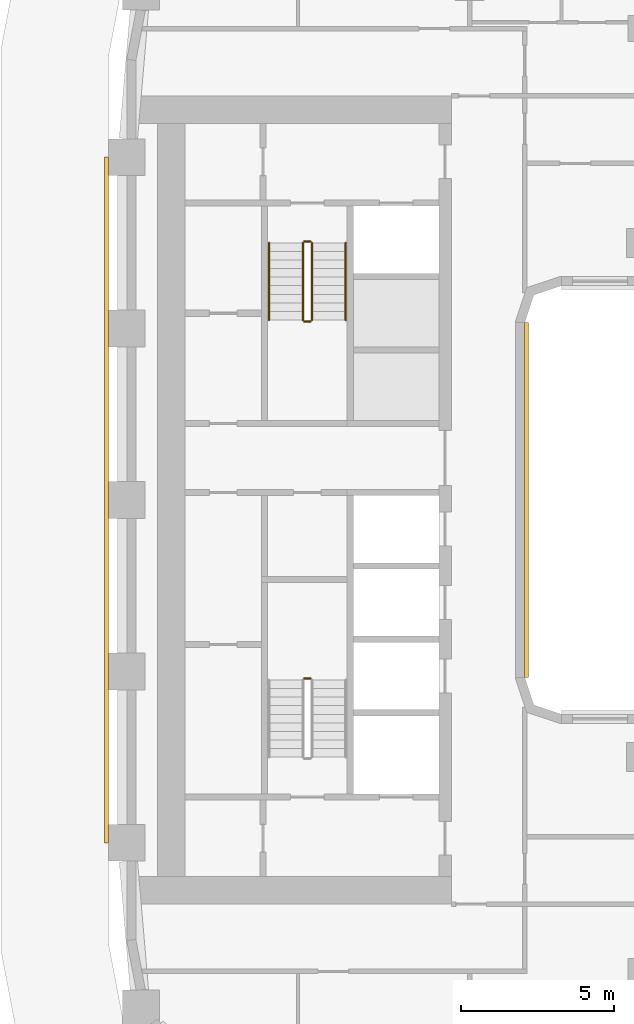
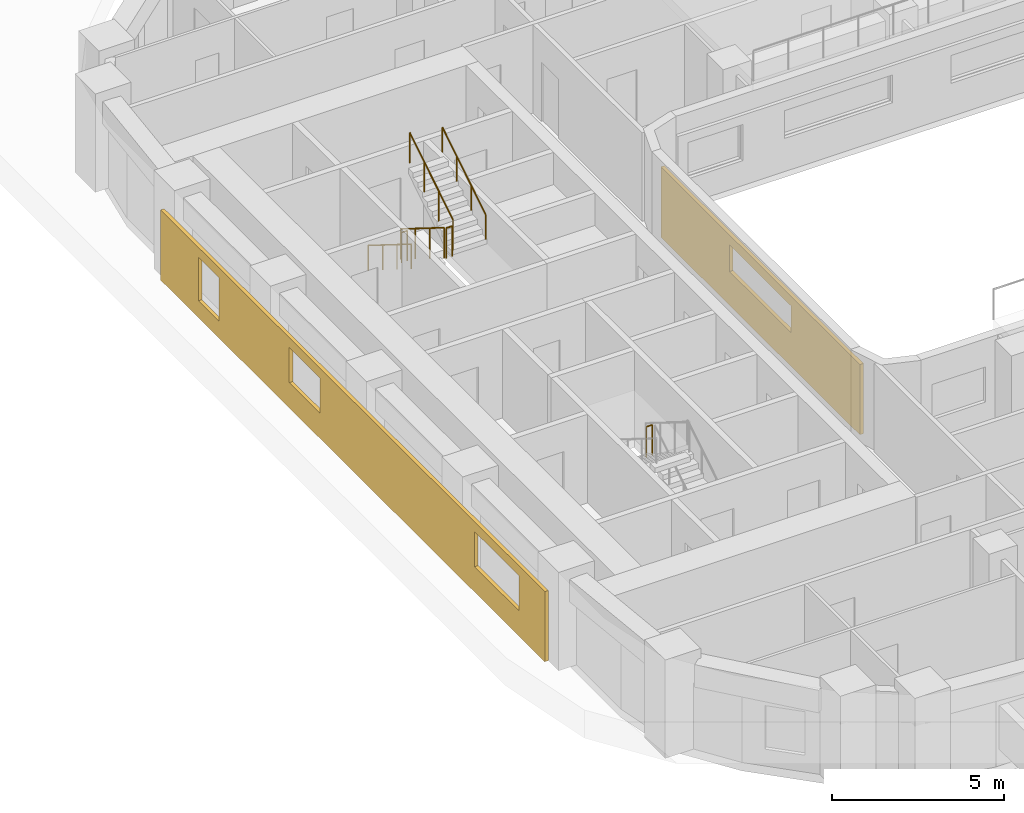
# One storey, part 14 of 18: 7 railings, 2 coverings.
"""IFC4 building model written with IfcOpenShell, lengths in metres."""

from ifc_helpers import new_model, si_unit, direction, frame, origin, origin_2d, place, context, subcontext, project, spatial, polyline, circle, outline, extrude, material, layer, layer_set, type_object, element, save


model = new_model("IFC4")

# Units and contexts
model_context = context("Model", 3, precision=1e-05, world=origin(), true_north=direction((0.0, 1.0)))
body_context = subcontext(model_context, "Body", "Model", "MODEL_VIEW")
ifc_project = project(units=[si_unit("LENGTHUNIT", "METRE"), si_unit("AREAUNIT", "SQUARE_METRE"), si_unit("VOLUMEUNIT", "CUBIC_METRE"), si_unit("PLANEANGLEUNIT", "RADIAN"), si_unit("MASSUNIT", "GRAM", prefix="KILO")], contexts=[model_context])

# Site, building, storey
site_placement = place(None, origin())
site = spatial("IfcSite", under=ifc_project, at=site_placement, CompositionType="ELEMENT")
building_placement = place(site_placement, origin())
building = spatial("IfcBuilding", under=site, at=building_placement, Name="Kiln Ring Residences", CompositionType="ELEMENT")
storey_placement = place(building_placement, frame((0.0, 0.0, 121.800048828125)))
storey = spatial("IfcBuildingStorey", under=building, at=storey_placement, Name="L31", CompositionType="ELEMENT", Elevation=121.800048828125)

# Railings
ifc_material_1 = material(Name="Stainless steel", Category="steel")
railing_type_1 = type_object("IfcRailingType", Name="CORE-STAIR-GUARD", PredefinedType="GUARDRAIL", material=ifc_material_1)
railing_1_placement = place(storey_placement, frame((-22.25, 8.39990234375, 0.175048828125)))
element("IfcRailing", 1, at=railing_1_placement, inside=storey, type_object=railing_type_1, Name="L31 W-STN stair guard 1", PredefinedType="GUARDRAIL", context=body_context, shape_type="SweptSolid", body=[
    extrude(circle(Radius=0.02392578125, at=origin_2d()), frame((0.0, 0.0, 1.076171875), z_axis=(0.0, -0.848007534815, 0.529984170421), x_axis=(1.0, 0.0, 0.0)), (0.0, 0.0, 1.0), 2.9716796875),
    extrude(circle(Radius=0.02099609375, at=origin_2d()), origin(), (0.0, 0.0, 1.0), 1.052001953125),
    extrude(circle(Radius=0.02099609375, at=origin_2d()), frame((0.0, -0.840087890625, 0.52490234375)), (0.0, 0.0, 1.0), 1.052001953125),
    extrude(circle(Radius=0.02099609375, at=origin_2d()), frame((0.0, -1.679931640625, 1.050048828125)), (0.0, 0.0, 1.0), 1.052001953125),
    extrude(circle(Radius=0.02099609375, at=origin_2d()), frame((0.0, -2.52001953125, 1.574951171875)), (0.0, 0.0, 1.0), 1.052001953125),
])
railing_2_placement = place(storey_placement, frame((-22.199951171875, 5.830078125, 1.75)))
element("IfcRailing", 2, at=railing_2_placement, inside=storey, type_object=railing_type_1, Name="L31 W-STN stair guard 2", PredefinedType="GUARDRAIL", context=body_context, shape_type="SweptSolid", body=[
    extrude(circle(Radius=0.02392578125, at=origin_2d()), frame((0.0, 0.0, 1.076171875), z_axis=(1.0, 0.0, 0.0), x_axis=(0.0, 1.0, 0.0)), (0.0, 0.0, 1.0), 0.199951171875),
    extrude(circle(Radius=0.02099609375, at=origin_2d()), origin(), (0.0, 0.0, 1.0), 1.052001953125),
    extrude(circle(Radius=0.02099609375, at=origin_2d()), frame((0.199951171875, 0.0, 0.0)), (0.0, 0.0, 1.0), 1.052001953125),
])
railing_3_placement = place(storey_placement, frame((-21.949951171875, 5.8798828125, 1.925048828125)))
element("IfcRailing", 3, at=railing_3_placement, inside=storey, type_object=railing_type_1, Name="L31 W-STN stair guard 3", PredefinedType="GUARDRAIL", context=body_context, shape_type="SweptSolid", body=[
    extrude(circle(Radius=0.02392578125, at=origin_2d()), frame((0.0, 0.0, 1.076171875), z_axis=(0.0, 0.848007534815, 0.529984170421), x_axis=(-1.0, 0.0, 0.0)), (0.0, 0.0, 1.0), 2.9716796875),
    extrude(circle(Radius=0.02099609375, at=origin_2d()), origin(), (0.0, 0.0, 1.0), 1.052001953125),
    extrude(circle(Radius=0.02099609375, at=origin_2d()), frame((0.0, 0.840087890625, 0.52490234375)), (0.0, 0.0, 1.0), 1.052001953125),
    extrude(circle(Radius=0.02099609375, at=origin_2d()), frame((0.0, 1.679931640625, 1.050048828125)), (0.0, 0.0, 1.0), 1.052001953125),
    extrude(circle(Radius=0.02099609375, at=origin_2d()), frame((0.0, 2.52001953125, 1.574951171875)), (0.0, 0.0, 1.0), 1.052001953125),
])
railing_4_placement = place(storey_placement, frame((-22.199951171875, 8.449951171875, 0.0)))
element("IfcRailing", 4, at=railing_4_placement, inside=storey, type_object=railing_type_1, Name="L31 W-STN stair guard 4", PredefinedType="GUARDRAIL", context=body_context, shape_type="SweptSolid", body=[
    extrude(circle(Radius=0.02392578125, at=origin_2d()), frame((0.0, 0.0, 1.076171875), z_axis=(1.0, 0.0, 0.0), x_axis=(0.0, 1.0, 0.0)), (0.0, 0.0, 1.0), 0.199951171875),
    extrude(circle(Radius=0.02099609375, at=origin_2d()), origin(), (0.0, 0.0, 1.0), 1.052001953125),
    extrude(circle(Radius=0.02099609375, at=origin_2d()), frame((0.199951171875, 0.0, 0.0)), (0.0, 0.0, 1.0), 1.052001953125),
])
railing_5_placement = place(storey_placement, frame((-22.0, -5.830078125, 1.75)))
element("IfcRailing", 5, at=railing_5_placement, inside=storey, type_object=railing_type_1, Name="L31 W-STS stair guard 2", PredefinedType="GUARDRAIL", context=body_context, shape_type="SweptSolid", body=[
    extrude(circle(Radius=0.02392578125, at=origin_2d()), frame((0.0, 0.0, 1.076171875), z_axis=(-1.0, 0.0, 0.0), x_axis=(0.0, -1.0, 0.0)), (0.0, 0.0, 1.0), 0.199951171875),
    extrude(circle(Radius=0.02099609375, at=origin_2d()), origin(), (0.0, 0.0, 1.0), 1.052001953125),
    extrude(circle(Radius=0.02099609375, at=origin_2d()), frame((-0.199951171875, 0.0, 0.0)), (0.0, 0.0, 1.0), 1.052001953125),
])
ifc_material_2 = material(Name="Stainless steel", Category="steel")
railing_type_2 = type_object("IfcRailingType", Name="CORE-STAIR-HANDRAIL", PredefinedType="HANDRAIL", material=ifc_material_2)
railing_6_placement = place(storey_placement, frame((-23.35009765625, 8.39990234375, 0.175048828125)))
element("IfcRailing", 6, at=railing_6_placement, inside=storey, type_object=railing_type_2, Name="L31 W-STN stair handrail 1", PredefinedType="HANDRAIL", context=body_context, shape_type="SweptSolid", body=[
    extrude(circle(Radius=0.02392578125, at=origin_2d()), frame((0.0, 0.0, 0.8759765625), z_axis=(0.0, -0.848007534815, 0.529984170421), x_axis=(1.0, 0.0, 0.0)), (0.0, 0.0, 1.0), 2.9716796875),
    extrude(circle(Radius=0.02099609375, at=origin_2d()), origin(), (0.0, 0.0, 1.0), 0.851806640625),
    extrude(circle(Radius=0.02099609375, at=origin_2d()), frame((0.0, -0.840087890625, 0.52490234375)), (0.0, 0.0, 1.0), 0.851806640625),
    extrude(circle(Radius=0.02099609375, at=origin_2d()), frame((0.0, -1.679931640625, 1.050048828125)), (0.0, 0.0, 1.0), 0.851806640625),
    extrude(circle(Radius=0.02099609375, at=origin_2d()), frame((0.0, -2.52001953125, 1.574951171875)), (0.0, 0.0, 1.0), 0.851806640625),
])
railing_7_placement = place(storey_placement, frame((-20.85009765625, 5.8798828125, 1.925048828125)))
element("IfcRailing", 7, at=railing_7_placement, inside=storey, type_object=railing_type_2, Name="L31 W-STN stair handrail 2", PredefinedType="HANDRAIL", context=body_context, shape_type="SweptSolid", body=[
    extrude(circle(Radius=0.02392578125, at=origin_2d()), frame((0.0, 0.0, 0.8759765625), z_axis=(0.0, 0.848007534815, 0.529984170421), x_axis=(-1.0, 0.0, 0.0)), (0.0, 0.0, 1.0), 2.9716796875),
    extrude(circle(Radius=0.02099609375, at=origin_2d()), origin(), (0.0, 0.0, 1.0), 0.851806640625),
    extrude(circle(Radius=0.02099609375, at=origin_2d()), frame((0.0, 0.840087890625, 0.52490234375)), (0.0, 0.0, 1.0), 0.851806640625),
    extrude(circle(Radius=0.02099609375, at=origin_2d()), frame((0.0, 1.679931640625, 1.050048828125)), (0.0, 0.0, 1.0), 0.851806640625),
    extrude(circle(Radius=0.02099609375, at=origin_2d()), frame((0.0, 2.52001953125, 1.574951171875)), (0.0, 0.0, 1.0), 0.851806640625),
])

# Coverings
ifc_material_3 = material(Name="Brick masonry, dark clay brick", Category="masonry")
ifc_layer = layer(ifc_material_3, 0.1201171875)
ifc_layer_set = layer_set([ifc_layer], Name="RAINSCREEN PANEL 120")
covering_type = type_object("IfcCoveringType", Name="RAINSCREEN PANEL 120", PredefinedType="CLADDING", material=ifc_layer_set)
covering_1_placement = place(storey_placement, frame((-28.659912109375, 11.199951171875, 0.0), z_axis=(0.0, 0.0, 1.0), x_axis=(0.0, -1.0, 0.0)))
element("IfcCovering", 8, at=covering_1_placement, inside=storey, type_object=covering_type, Name="RAINSCREEN L31", PredefinedType="CLADDING", context=body_context, shape_type="SweptSolid", body=[
    extrude(outline(polyline([(0.0, 0.0), (22.39990234375, 0.0), (22.39990234375, 2.5), (0.0, 2.5), (0.0, 0.0)]), holes=[polyline([(3.39990234375, 2.14990234375), (2.199951171875, 2.14990234375), (2.199951171875, 0.599853515625), (3.39990234375, 0.599853515625), (3.39990234375, 2.14990234375)]), polyline([(9.300048828125, 0.89990234375), (9.300048828125, 2.14990234375), (7.5, 2.14990234375), (7.5, 0.89990234375), (9.300048828125, 0.89990234375)]), polyline([(20.89990234375, 0.89990234375), (20.89990234375, 2.14990234375), (18.300048828125, 2.14990234375), (18.300048828125, 0.89990234375), (20.89990234375, 0.89990234375)])]), frame((0.0, 0.06005859375, 0.0), z_axis=(0.0, -1.0, 0.0), x_axis=(1.0, 0.0, 0.0)), (0.0, 0.0, 1.0), 0.1201171875),
])
covering_2_placement = place(storey_placement, frame((-14.93994140625, -5.800048828125, 0.0), z_axis=(0.0, 0.0, 1.0), x_axis=(0.0, 1.0, 0.0)))
element("IfcCovering", 9, at=covering_2_placement, inside=storey, type_object=covering_type, Name="RAINSCREEN L31", PredefinedType="CLADDING", context=body_context, shape_type="SweptSolid", body=[
    extrude(outline(polyline([(0.0, 0.0), (11.60009765625, 0.0), (11.60009765625, 2.5), (0.0, 2.5), (0.0, 0.0)]), holes=[polyline([(4.0, 2.14990234375), (4.0, 1.199951171875), (7.60009765625, 1.199951171875), (7.60009765625, 2.14990234375), (4.0, 2.14990234375)])]), frame((0.0, 0.06005859375, 0.0), z_axis=(0.0, -1.0, 0.0), x_axis=(1.0, 0.0, 0.0)), (0.0, 0.0, 1.0), 0.1201171875),
])

save(model, "model.ifc")
